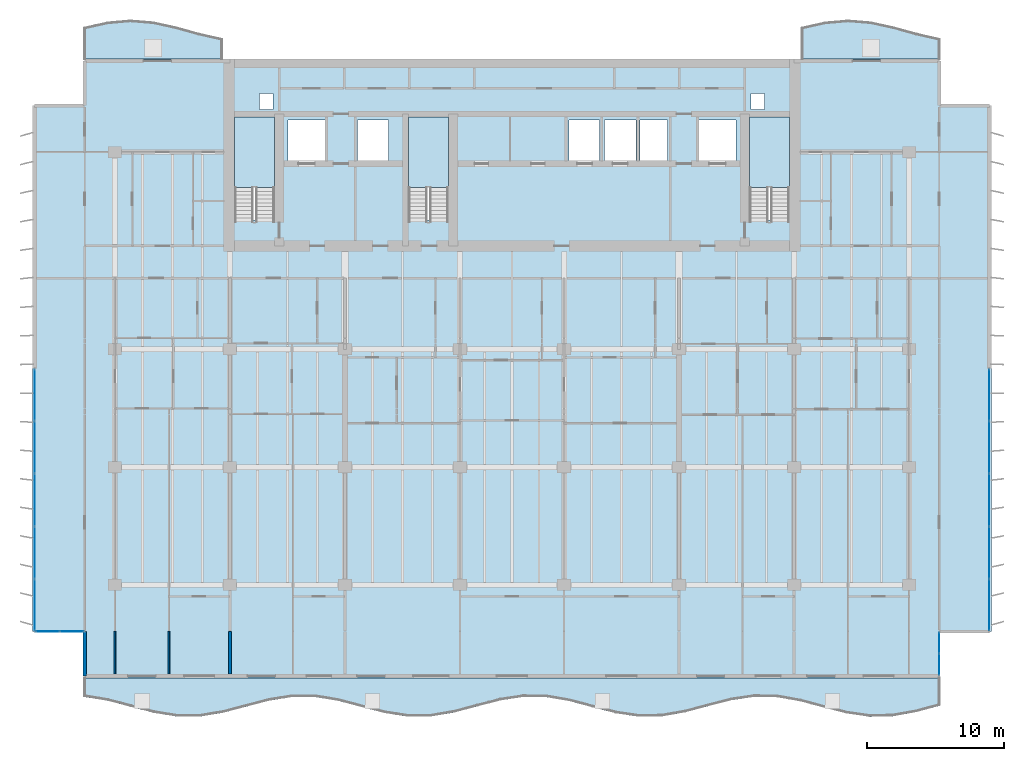
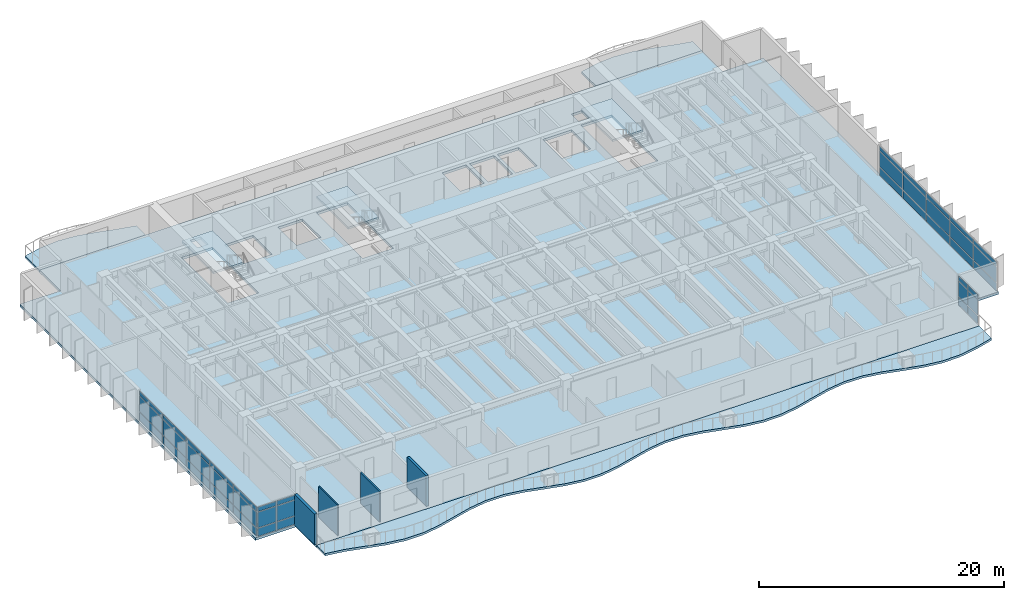
# One storey, part 5 of 17: 42 plates, 7 slabs, 4 walls, 7 elements without a shape of their own.
"""IFC4 building model written with IfcOpenShell, lengths in metres."""

from ifc_helpers import new_model, si_unit, direction, frame, frame_2d, origin, origin_2d, place, context, subcontext, project, spatial, polyline, rectangle, outline, extrude, material, layer, layer_set, type_object, element, aggregate, save


model = new_model("IFC4")

# Units and contexts
model_context = context("Model", 3, precision=1e-05, world=origin(), true_north=direction((0.0, 1.0)))
body_context = subcontext(model_context, "Body", "Model", "MODEL_VIEW")
ifc_project = project(units=[si_unit("LENGTHUNIT", "METRE"), si_unit("AREAUNIT", "SQUARE_METRE"), si_unit("VOLUMEUNIT", "CUBIC_METRE"), si_unit("PLANEANGLEUNIT", "RADIAN"), si_unit("MASSUNIT", "GRAM", prefix="KILO")], contexts=[model_context])

# Site, building, storey
site_placement = place(None, origin())
site = spatial("IfcSite", under=ifc_project, at=site_placement, CompositionType="ELEMENT")
building_placement = place(site_placement, origin())
building = spatial("IfcBuilding", under=site, at=building_placement, Name="Caelmar Bay Residences", CompositionType="ELEMENT")
storey_placement = place(building_placement, frame((0.0, 0.0, 109.199951171875)))
storey = spatial("IfcBuildingStorey", under=building, at=storey_placement, Name="L29", CompositionType="ELEMENT", Elevation=109.199951171875)

# Curtain wall, plates
ifc_material_1 = material(Name="Anodised bronze aluminium 6063-T6 and laminated glass", Category="aluminium")
ifc_layer_1 = layer(ifc_material_1, 0.179931640625)
ifc_layer_set_1 = layer_set([ifc_layer_1], Name="Anodised bronze aluminium 6063-T6 and laminated glass")
curtain_wall_type_1 = type_object("IfcCurtainWallType", Name="CW6-NTC", PredefinedType="NOTDEFINED", material=ifc_layer_set_1)
curtain_wall_1_placement = place(storey_placement, origin())
curtain_wall_1 = element("IfcCurtainWall", 1, at=curtain_wall_1_placement, inside=storey, type_object=curtain_wall_type_1, Name="CW6 curtain wall L29", PredefinedType="NOTDEFINED")
ifc_material_2 = material(Name="Bronze-tinted laminated low-E hurricane glass 28 mm", Category="glass")
ifc_layer_2 = layer(ifc_material_2, 0.028076171875)
ifc_layer_set_2 = layer_set([ifc_layer_2], Name="Bronze-tinted laminated low-E hurricane glass 28 mm")
plate_type = type_object("IfcPlateType", Name="CWP-GLZ28", PredefinedType="CURTAIN_PANEL", material=ifc_layer_set_2)
plate_1_placement = place(storey_placement, frame((4.982421875, 8.800048828125, 0.080078125), z_axis=(0.0, 0.0, 1.0), x_axis=(1.0, 0.0, 0.0)))
plate_1 = element("IfcPlate", 2, at=plate_1_placement, type_object=plate_type, Name="CW6 panel 1.1", PredefinedType="CURTAIN_PANEL", context=body_context, shape_type="SweptSolid", body=[
    extrude(rectangle(XDim=1.705078125, YDim=0.028076171875, at=origin_2d()), origin(), (0.0, 0.0, 1.0), 0.780029296875),
])
plate_2_placement = place(storey_placement, frame((4.982421875, 8.800048828125, 0.93994140625), z_axis=(0.0, 0.0, 1.0), x_axis=(1.0, 0.0, 0.0)))
plate_2 = element("IfcPlate", 3, at=plate_2_placement, type_object=plate_type, Name="CW6 panel 1.2", PredefinedType="CURTAIN_PANEL", context=body_context, shape_type="SweptSolid", body=[
    extrude(rectangle(XDim=1.705078125, YDim=0.028076171875, at=origin_2d()), origin(), (0.0, 0.0, 1.0), 1.52001953125),
])
plate_3_placement = place(storey_placement, frame((4.982421875, 8.800048828125, 2.5400390625), z_axis=(0.0, 0.0, 1.0), x_axis=(1.0, 0.0, 0.0)))
plate_3 = element("IfcPlate", 4, at=plate_3_placement, type_object=plate_type, Name="CW6 panel 1.3", PredefinedType="CURTAIN_PANEL", context=body_context, shape_type="SweptSolid", body=[
    extrude(rectangle(XDim=1.705078125, YDim=0.028076171875, at=origin_2d()), origin(), (0.0, 0.0, 1.0), 0.429931640625),
])
plate_4_placement = place(storey_placement, frame((6.767578125, 8.800048828125, 0.080078125), z_axis=(0.0, 0.0, 1.0), x_axis=(1.0, 0.0, 0.0)))
plate_4 = element("IfcPlate", 5, at=plate_4_placement, type_object=plate_type, Name="CW6 panel 2.1", PredefinedType="CURTAIN_PANEL", context=body_context, shape_type="SweptSolid", body=[
    extrude(rectangle(XDim=1.705078125, YDim=0.028076171875, at=origin_2d()), origin(), (0.0, 0.0, 1.0), 0.780029296875),
])
plate_5_placement = place(storey_placement, frame((6.767578125, 8.800048828125, 0.93994140625), z_axis=(0.0, 0.0, 1.0), x_axis=(1.0, 0.0, 0.0)))
plate_5 = element("IfcPlate", 6, at=plate_5_placement, type_object=plate_type, Name="CW6 panel 2.2", PredefinedType="CURTAIN_PANEL", context=body_context, shape_type="SweptSolid", body=[
    extrude(rectangle(XDim=1.705078125, YDim=0.028076171875, at=origin_2d()), origin(), (0.0, 0.0, 1.0), 1.52001953125),
])
plate_6_placement = place(storey_placement, frame((6.767578125, 8.800048828125, 2.5400390625), z_axis=(0.0, 0.0, 1.0), x_axis=(1.0, 0.0, 0.0)))
plate_6 = element("IfcPlate", 7, at=plate_6_placement, type_object=plate_type, Name="CW6 panel 2.3", PredefinedType="CURTAIN_PANEL", context=body_context, shape_type="SweptSolid", body=[
    extrude(rectangle(XDim=1.705078125, YDim=0.028076171875, at=origin_2d()), origin(), (0.0, 0.0, 1.0), 0.429931640625),
])
aggregate(curtain_wall_1, [plate_1, plate_2, plate_3, plate_4, plate_5, plate_6])

curtain_wall_2_placement = place(storey_placement, origin())
curtain_wall_2 = element("IfcCurtainWall", 8, at=curtain_wall_2_placement, inside=storey, type_object=curtain_wall_type_1, Name="CW6 curtain wall L29", PredefinedType="NOTDEFINED")
plate_7_placement = place(storey_placement, frame((70.10009765625, 6.382568359375, 0.080078125), z_axis=(0.0, 0.0, 1.0), x_axis=(0.0, 1.0, 0.0)))
plate_7 = element("IfcPlate", 9, at=plate_7_placement, type_object=plate_type, Name="CW6 panel 1.1", PredefinedType="CURTAIN_PANEL", context=body_context, shape_type="SweptSolid", body=[
    extrude(rectangle(XDim=1.5048828125, YDim=0.028076171875, at=origin_2d()), origin(), (0.0, 0.0, 1.0), 0.780029296875),
])
plate_8_placement = place(storey_placement, frame((70.10009765625, 6.382568359375, 0.93994140625), z_axis=(0.0, 0.0, 1.0), x_axis=(0.0, 1.0, 0.0)))
plate_8 = element("IfcPlate", 10, at=plate_8_placement, type_object=plate_type, Name="CW6 panel 1.2", PredefinedType="CURTAIN_PANEL", context=body_context, shape_type="SweptSolid", body=[
    extrude(rectangle(XDim=1.5048828125, YDim=0.028076171875, at=origin_2d()), origin(), (0.0, 0.0, 1.0), 1.52001953125),
])
plate_9_placement = place(storey_placement, frame((70.10009765625, 6.382568359375, 2.5400390625), z_axis=(0.0, 0.0, 1.0), x_axis=(0.0, 1.0, 0.0)))
plate_9 = element("IfcPlate", 11, at=plate_9_placement, type_object=plate_type, Name="CW6 panel 1.3", PredefinedType="CURTAIN_PANEL", context=body_context, shape_type="SweptSolid", body=[
    extrude(rectangle(XDim=1.5048828125, YDim=0.028076171875, at=origin_2d()), origin(), (0.0, 0.0, 1.0), 0.429931640625),
])
plate_10_placement = place(storey_placement, frame((70.10009765625, 7.967529296875, 0.080078125), z_axis=(0.0, 0.0, 1.0), x_axis=(0.0, 1.0, 0.0)))
plate_10 = element("IfcPlate", 12, at=plate_10_placement, type_object=plate_type, Name="CW6 panel 2.1", PredefinedType="CURTAIN_PANEL", context=body_context, shape_type="SweptSolid", body=[
    extrude(rectangle(XDim=1.5048828125, YDim=0.028076171875, at=origin_2d()), origin(), (0.0, 0.0, 1.0), 0.780029296875),
])
plate_11_placement = place(storey_placement, frame((70.10009765625, 7.967529296875, 0.93994140625), z_axis=(0.0, 0.0, 1.0), x_axis=(0.0, 1.0, 0.0)))
plate_11 = element("IfcPlate", 13, at=plate_11_placement, type_object=plate_type, Name="CW6 panel 2.2", PredefinedType="CURTAIN_PANEL", context=body_context, shape_type="SweptSolid", body=[
    extrude(rectangle(XDim=1.5048828125, YDim=0.028076171875, at=origin_2d()), origin(), (0.0, 0.0, 1.0), 1.52001953125),
])
plate_12_placement = place(storey_placement, frame((70.10009765625, 7.967529296875, 2.5400390625), z_axis=(0.0, 0.0, 1.0), x_axis=(0.0, 1.0, 0.0)))
plate_12 = element("IfcPlate", 14, at=plate_12_placement, type_object=plate_type, Name="CW6 panel 2.3", PredefinedType="CURTAIN_PANEL", context=body_context, shape_type="SweptSolid", body=[
    extrude(rectangle(XDim=1.5048828125, YDim=0.028076171875, at=origin_2d()), origin(), (0.0, 0.0, 1.0), 0.429931640625),
])
aggregate(curtain_wall_2, [plate_7, plate_8, plate_9, plate_10, plate_11, plate_12])

ifc_layer_3 = layer(ifc_material_1, 0.179931640625)
ifc_layer_set_3 = layer_set([ifc_layer_3], Name="Anodised bronze aluminium 6063-T6 and laminated glass")
curtain_wall_type_2 = type_object("IfcCurtainWallType", Name="CW3-Z2", PredefinedType="NOTDEFINED", material=ifc_layer_set_3)
curtain_wall_3_placement = place(storey_placement, origin())
curtain_wall_3 = element("IfcCurtainWall", 15, at=curtain_wall_3_placement, inside=storey, type_object=curtain_wall_type_2, Name="CW3 curtain wall L29", PredefinedType="NOTDEFINED")
plate_13_placement = place(storey_placement, frame((4.050048828125, 10.739990234375, 0.080078125), z_axis=(0.0, 0.0, 1.0), x_axis=(0.0, 1.0, 0.0)))
plate_13 = element("IfcPlate", 16, at=plate_13_placement, type_object=plate_type, Name="CW3 panel 1.1", PredefinedType="CURTAIN_PANEL", context=body_context, shape_type="SweptSolid", body=[
    extrude(rectangle(XDim=3.719970703125, YDim=0.028076171875, at=origin_2d()), origin(), (0.0, 0.0, 1.0), 0.780029296875),
])
plate_14_placement = place(storey_placement, frame((4.050048828125, 10.739990234375, 0.93994140625), z_axis=(0.0, 0.0, 1.0), x_axis=(0.0, 1.0, 0.0)))
plate_14 = element("IfcPlate", 17, at=plate_14_placement, type_object=plate_type, Name="CW3 panel 1.2", PredefinedType="CURTAIN_PANEL", context=body_context, shape_type="SweptSolid", body=[
    extrude(rectangle(XDim=3.719970703125, YDim=0.028076171875, at=origin_2d()), origin(), (0.0, 0.0, 1.0), 1.52001953125),
])
plate_15_placement = place(storey_placement, frame((4.050048828125, 10.739990234375, 2.5400390625), z_axis=(0.0, 0.0, 1.0), x_axis=(0.0, 1.0, 0.0)))
plate_15 = element("IfcPlate", 18, at=plate_15_placement, type_object=plate_type, Name="CW3 panel 1.3", PredefinedType="CURTAIN_PANEL", context=body_context, shape_type="SweptSolid", body=[
    extrude(rectangle(XDim=3.719970703125, YDim=0.028076171875, at=origin_2d()), origin(), (0.0, 0.0, 1.0), 0.429931640625),
])
plate_16_placement = place(storey_placement, frame((4.050048828125, 14.56005859375, 0.080078125), z_axis=(0.0, 0.0, 1.0), x_axis=(0.0, 1.0, 0.0)))
plate_16 = element("IfcPlate", 19, at=plate_16_placement, type_object=plate_type, Name="CW3 panel 2.1", PredefinedType="CURTAIN_PANEL", context=body_context, shape_type="SweptSolid", body=[
    extrude(rectangle(XDim=3.760009765625, YDim=0.028076171875, at=origin_2d()), origin(), (0.0, 0.0, 1.0), 0.780029296875),
])
plate_17_placement = place(storey_placement, frame((4.050048828125, 14.56005859375, 0.93994140625), z_axis=(0.0, 0.0, 1.0), x_axis=(0.0, 1.0, 0.0)))
plate_17 = element("IfcPlate", 20, at=plate_17_placement, type_object=plate_type, Name="CW3 panel 2.2", PredefinedType="CURTAIN_PANEL", context=body_context, shape_type="SweptSolid", body=[
    extrude(rectangle(XDim=3.760009765625, YDim=0.028076171875, at=origin_2d()), origin(), (0.0, 0.0, 1.0), 1.52001953125),
])
plate_18_placement = place(storey_placement, frame((4.050048828125, 14.56005859375, 2.5400390625), z_axis=(0.0, 0.0, 1.0), x_axis=(0.0, 1.0, 0.0)))
plate_18 = element("IfcPlate", 21, at=plate_18_placement, type_object=plate_type, Name="CW3 panel 2.3", PredefinedType="CURTAIN_PANEL", context=body_context, shape_type="SweptSolid", body=[
    extrude(rectangle(XDim=3.760009765625, YDim=0.028076171875, at=origin_2d()), origin(), (0.0, 0.0, 1.0), 0.429931640625),
])
plate_19_placement = place(storey_placement, frame((4.050048828125, 18.39990234375, 0.080078125), z_axis=(0.0, 0.0, 1.0), x_axis=(0.0, 1.0, 0.0)))
plate_19 = element("IfcPlate", 22, at=plate_19_placement, type_object=plate_type, Name="CW3 panel 3.1", PredefinedType="CURTAIN_PANEL", context=body_context, shape_type="SweptSolid", body=[
    extrude(rectangle(XDim=3.760009765625, YDim=0.028076171875, at=origin_2d()), origin(), (0.0, 0.0, 1.0), 0.780029296875),
])
plate_20_placement = place(storey_placement, frame((4.050048828125, 18.39990234375, 0.93994140625), z_axis=(0.0, 0.0, 1.0), x_axis=(0.0, 1.0, 0.0)))
plate_20 = element("IfcPlate", 23, at=plate_20_placement, type_object=plate_type, Name="CW3 panel 3.2", PredefinedType="CURTAIN_PANEL", context=body_context, shape_type="SweptSolid", body=[
    extrude(rectangle(XDim=3.760009765625, YDim=0.028076171875, at=origin_2d()), origin(), (0.0, 0.0, 1.0), 1.52001953125),
])
plate_21_placement = place(storey_placement, frame((4.050048828125, 18.39990234375, 2.5400390625), z_axis=(0.0, 0.0, 1.0), x_axis=(0.0, 1.0, 0.0)))
plate_21 = element("IfcPlate", 24, at=plate_21_placement, type_object=plate_type, Name="CW3 panel 3.3", PredefinedType="CURTAIN_PANEL", context=body_context, shape_type="SweptSolid", body=[
    extrude(rectangle(XDim=3.760009765625, YDim=0.028076171875, at=origin_2d()), origin(), (0.0, 0.0, 1.0), 0.429931640625),
])
plate_22_placement = place(storey_placement, frame((4.050048828125, 22.239990234375, 0.080078125), z_axis=(0.0, 0.0, 1.0), x_axis=(0.0, 1.0, 0.0)))
plate_22 = element("IfcPlate", 25, at=plate_22_placement, type_object=plate_type, Name="CW3 panel 4.1", PredefinedType="CURTAIN_PANEL", context=body_context, shape_type="SweptSolid", body=[
    extrude(rectangle(XDim=3.760009765625, YDim=0.028076171875, at=origin_2d()), origin(), (0.0, 0.0, 1.0), 0.780029296875),
])
plate_23_placement = place(storey_placement, frame((4.050048828125, 22.239990234375, 0.93994140625), z_axis=(0.0, 0.0, 1.0), x_axis=(0.0, 1.0, 0.0)))
plate_23 = element("IfcPlate", 26, at=plate_23_placement, type_object=plate_type, Name="CW3 panel 4.2", PredefinedType="CURTAIN_PANEL", context=body_context, shape_type="SweptSolid", body=[
    extrude(rectangle(XDim=3.760009765625, YDim=0.028076171875, at=origin_2d()), origin(), (0.0, 0.0, 1.0), 1.52001953125),
])
plate_24_placement = place(storey_placement, frame((4.050048828125, 22.239990234375, 2.5400390625), z_axis=(0.0, 0.0, 1.0), x_axis=(0.0, 1.0, 0.0)))
plate_24 = element("IfcPlate", 27, at=plate_24_placement, type_object=plate_type, Name="CW3 panel 4.3", PredefinedType="CURTAIN_PANEL", context=body_context, shape_type="SweptSolid", body=[
    extrude(rectangle(XDim=3.760009765625, YDim=0.028076171875, at=origin_2d()), origin(), (0.0, 0.0, 1.0), 0.429931640625),
])
plate_25_placement = place(storey_placement, frame((4.050048828125, 26.06005859375, 0.080078125), z_axis=(0.0, 0.0, 1.0), x_axis=(0.0, 1.0, 0.0)))
plate_25 = element("IfcPlate", 28, at=plate_25_placement, type_object=plate_type, Name="CW3 panel 5.1", PredefinedType="CURTAIN_PANEL", context=body_context, shape_type="SweptSolid", body=[
    extrude(rectangle(XDim=3.719970703125, YDim=0.028076171875, at=origin_2d()), origin(), (0.0, 0.0, 1.0), 0.780029296875),
])
plate_26_placement = place(storey_placement, frame((4.050048828125, 26.06005859375, 0.93994140625), z_axis=(0.0, 0.0, 1.0), x_axis=(0.0, 1.0, 0.0)))
plate_26 = element("IfcPlate", 29, at=plate_26_placement, type_object=plate_type, Name="CW3 panel 5.2", PredefinedType="CURTAIN_PANEL", context=body_context, shape_type="SweptSolid", body=[
    extrude(rectangle(XDim=3.719970703125, YDim=0.028076171875, at=origin_2d()), origin(), (0.0, 0.0, 1.0), 1.52001953125),
])
plate_27_placement = place(storey_placement, frame((4.050048828125, 26.06005859375, 2.5400390625), z_axis=(0.0, 0.0, 1.0), x_axis=(0.0, 1.0, 0.0)))
plate_27 = element("IfcPlate", 30, at=plate_27_placement, type_object=plate_type, Name="CW3 panel 5.3", PredefinedType="CURTAIN_PANEL", context=body_context, shape_type="SweptSolid", body=[
    extrude(rectangle(XDim=3.719970703125, YDim=0.028076171875, at=origin_2d()), origin(), (0.0, 0.0, 1.0), 0.429931640625),
])
aggregate(curtain_wall_3, [plate_13, plate_14, plate_15, plate_16, plate_17, plate_18, plate_19, plate_20, plate_21, plate_22, plate_23, plate_24, plate_25, plate_26, plate_27])

curtain_wall_4_placement = place(storey_placement, origin())
curtain_wall_4 = element("IfcCurtainWall", 31, at=curtain_wall_4_placement, inside=storey, type_object=curtain_wall_type_2, Name="CW3 curtain wall L29", PredefinedType="NOTDEFINED")
plate_28_placement = place(storey_placement, frame((73.75, 26.06005859375, 0.080078125), z_axis=(0.0, 0.0, 1.0), x_axis=(0.0, -1.0, 0.0)))
plate_28 = element("IfcPlate", 32, at=plate_28_placement, type_object=plate_type, Name="CW3 panel 1.1", PredefinedType="CURTAIN_PANEL", context=body_context, shape_type="SweptSolid", body=[
    extrude(rectangle(XDim=3.719970703125, YDim=0.028076171875, at=origin_2d()), origin(), (0.0, 0.0, 1.0), 0.780029296875),
])
plate_29_placement = place(storey_placement, frame((73.75, 26.06005859375, 0.93994140625), z_axis=(0.0, 0.0, 1.0), x_axis=(0.0, -1.0, 0.0)))
plate_29 = element("IfcPlate", 33, at=plate_29_placement, type_object=plate_type, Name="CW3 panel 1.2", PredefinedType="CURTAIN_PANEL", context=body_context, shape_type="SweptSolid", body=[
    extrude(rectangle(XDim=3.719970703125, YDim=0.028076171875, at=origin_2d()), origin(), (0.0, 0.0, 1.0), 1.52001953125),
])
plate_30_placement = place(storey_placement, frame((73.75, 26.06005859375, 2.5400390625), z_axis=(0.0, 0.0, 1.0), x_axis=(0.0, -1.0, 0.0)))
plate_30 = element("IfcPlate", 34, at=plate_30_placement, type_object=plate_type, Name="CW3 panel 1.3", PredefinedType="CURTAIN_PANEL", context=body_context, shape_type="SweptSolid", body=[
    extrude(rectangle(XDim=3.719970703125, YDim=0.028076171875, at=origin_2d()), origin(), (0.0, 0.0, 1.0), 0.429931640625),
])
plate_31_placement = place(storey_placement, frame((73.75, 22.239990234375, 0.080078125), z_axis=(0.0, 0.0, 1.0), x_axis=(0.0, -1.0, 0.0)))
plate_31 = element("IfcPlate", 35, at=plate_31_placement, type_object=plate_type, Name="CW3 panel 2.1", PredefinedType="CURTAIN_PANEL", context=body_context, shape_type="SweptSolid", body=[
    extrude(rectangle(XDim=3.760009765625, YDim=0.028076171875, at=origin_2d()), origin(), (0.0, 0.0, 1.0), 0.780029296875),
])
plate_32_placement = place(storey_placement, frame((73.75, 22.239990234375, 0.93994140625), z_axis=(0.0, 0.0, 1.0), x_axis=(0.0, -1.0, 0.0)))
plate_32 = element("IfcPlate", 36, at=plate_32_placement, type_object=plate_type, Name="CW3 panel 2.2", PredefinedType="CURTAIN_PANEL", context=body_context, shape_type="SweptSolid", body=[
    extrude(rectangle(XDim=3.760009765625, YDim=0.028076171875, at=origin_2d()), origin(), (0.0, 0.0, 1.0), 1.52001953125),
])
plate_33_placement = place(storey_placement, frame((73.75, 22.239990234375, 2.5400390625), z_axis=(0.0, 0.0, 1.0), x_axis=(0.0, -1.0, 0.0)))
plate_33 = element("IfcPlate", 37, at=plate_33_placement, type_object=plate_type, Name="CW3 panel 2.3", PredefinedType="CURTAIN_PANEL", context=body_context, shape_type="SweptSolid", body=[
    extrude(rectangle(XDim=3.760009765625, YDim=0.028076171875, at=origin_2d()), origin(), (0.0, 0.0, 1.0), 0.429931640625),
])
plate_34_placement = place(storey_placement, frame((73.75, 18.39990234375, 0.080078125), z_axis=(0.0, 0.0, 1.0), x_axis=(0.0, -1.0, 0.0)))
plate_34 = element("IfcPlate", 38, at=plate_34_placement, type_object=plate_type, Name="CW3 panel 3.1", PredefinedType="CURTAIN_PANEL", context=body_context, shape_type="SweptSolid", body=[
    extrude(rectangle(XDim=3.760009765625, YDim=0.028076171875, at=origin_2d()), origin(), (0.0, 0.0, 1.0), 0.780029296875),
])
plate_35_placement = place(storey_placement, frame((73.75, 18.39990234375, 0.93994140625), z_axis=(0.0, 0.0, 1.0), x_axis=(0.0, -1.0, 0.0)))
plate_35 = element("IfcPlate", 39, at=plate_35_placement, type_object=plate_type, Name="CW3 panel 3.2", PredefinedType="CURTAIN_PANEL", context=body_context, shape_type="SweptSolid", body=[
    extrude(rectangle(XDim=3.760009765625, YDim=0.028076171875, at=origin_2d()), origin(), (0.0, 0.0, 1.0), 1.52001953125),
])
plate_36_placement = place(storey_placement, frame((73.75, 18.39990234375, 2.5400390625), z_axis=(0.0, 0.0, 1.0), x_axis=(0.0, -1.0, 0.0)))
plate_36 = element("IfcPlate", 40, at=plate_36_placement, type_object=plate_type, Name="CW3 panel 3.3", PredefinedType="CURTAIN_PANEL", context=body_context, shape_type="SweptSolid", body=[
    extrude(rectangle(XDim=3.760009765625, YDim=0.028076171875, at=origin_2d()), origin(), (0.0, 0.0, 1.0), 0.429931640625),
])
plate_37_placement = place(storey_placement, frame((73.75, 14.56005859375, 0.080078125), z_axis=(0.0, 0.0, 1.0), x_axis=(0.0, -1.0, 0.0)))
plate_37 = element("IfcPlate", 41, at=plate_37_placement, type_object=plate_type, Name="CW3 panel 4.1", PredefinedType="CURTAIN_PANEL", context=body_context, shape_type="SweptSolid", body=[
    extrude(rectangle(XDim=3.760009765625, YDim=0.028076171875, at=origin_2d()), origin(), (0.0, 0.0, 1.0), 0.780029296875),
])
plate_38_placement = place(storey_placement, frame((73.75, 14.56005859375, 0.93994140625), z_axis=(0.0, 0.0, 1.0), x_axis=(0.0, -1.0, 0.0)))
plate_38 = element("IfcPlate", 42, at=plate_38_placement, type_object=plate_type, Name="CW3 panel 4.2", PredefinedType="CURTAIN_PANEL", context=body_context, shape_type="SweptSolid", body=[
    extrude(rectangle(XDim=3.760009765625, YDim=0.028076171875, at=origin_2d()), origin(), (0.0, 0.0, 1.0), 1.52001953125),
])
plate_39_placement = place(storey_placement, frame((73.75, 14.56005859375, 2.5400390625), z_axis=(0.0, 0.0, 1.0), x_axis=(0.0, -1.0, 0.0)))
plate_39 = element("IfcPlate", 43, at=plate_39_placement, type_object=plate_type, Name="CW3 panel 4.3", PredefinedType="CURTAIN_PANEL", context=body_context, shape_type="SweptSolid", body=[
    extrude(rectangle(XDim=3.760009765625, YDim=0.028076171875, at=origin_2d()), origin(), (0.0, 0.0, 1.0), 0.429931640625),
])
plate_40_placement = place(storey_placement, frame((73.75, 10.739990234375, 0.080078125), z_axis=(0.0, 0.0, 1.0), x_axis=(0.0, -1.0, 0.0)))
plate_40 = element("IfcPlate", 44, at=plate_40_placement, type_object=plate_type, Name="CW3 panel 5.1", PredefinedType="CURTAIN_PANEL", context=body_context, shape_type="SweptSolid", body=[
    extrude(rectangle(XDim=3.719970703125, YDim=0.028076171875, at=origin_2d()), origin(), (0.0, 0.0, 1.0), 0.780029296875),
])
plate_41_placement = place(storey_placement, frame((73.75, 10.739990234375, 0.93994140625), z_axis=(0.0, 0.0, 1.0), x_axis=(0.0, -1.0, 0.0)))
plate_41 = element("IfcPlate", 45, at=plate_41_placement, type_object=plate_type, Name="CW3 panel 5.2", PredefinedType="CURTAIN_PANEL", context=body_context, shape_type="SweptSolid", body=[
    extrude(rectangle(XDim=3.719970703125, YDim=0.028076171875, at=origin_2d()), origin(), (0.0, 0.0, 1.0), 1.52001953125),
])
plate_42_placement = place(storey_placement, frame((73.75, 10.739990234375, 2.5400390625), z_axis=(0.0, 0.0, 1.0), x_axis=(0.0, -1.0, 0.0)))
plate_42 = element("IfcPlate", 46, at=plate_42_placement, type_object=plate_type, Name="CW3 panel 5.3", PredefinedType="CURTAIN_PANEL", context=body_context, shape_type="SweptSolid", body=[
    extrude(rectangle(XDim=3.719970703125, YDim=0.028076171875, at=origin_2d()), origin(), (0.0, 0.0, 1.0), 0.429931640625),
])
aggregate(curtain_wall_4, [plate_28, plate_29, plate_30, plate_31, plate_32, plate_33, plate_34, plate_35, plate_36, plate_37, plate_38, plate_39, plate_40, plate_41, plate_42])

# Slabs
ifc_material_3 = material(Name="Concrete f'c 40 MPa (6,000 psi)", Category="concrete")
ifc_layer_4 = layer(ifc_material_3, 0.219970703125)
ifc_layer_set_4 = layer_set([ifc_layer_4], Name="Concrete f'c 40 MPa (6,000 psi)")
slab_type_1 = type_object("IfcSlabType", Name="SLB-BAL-220", PredefinedType="FLOOR", material=ifc_layer_set_4)
slab_1_placement = place(storey_placement, frame((0.0, 0.0, -0.219970703125)))
element("IfcSlab", 47, at=slab_1_placement, inside=storey, type_object=slab_type_1, Name="L29 Sinusoidal Tree-Balcony Slab south", PredefinedType="FLOOR", context=body_context, shape_type="SweptSolid", body=[
    extrude(outline(polyline([(7.699951171875, 4.01318359375), (9.386474609375, 3.739501953125), (11.072998046875, 3.29638671875), (12.759521484375, 2.854736328125), (14.44580078125, 2.58447265625), (16.13232421875, 2.589599609375), (17.81884765625, 2.867919921875), (19.50537109375, 3.312744140625), (21.19189453125, 3.75244140625), (22.87841796875, 4.018310546875), (24.56494140625, 4.007568359375), (26.25146484375, 3.724609375), (27.937744140625, 3.2783203125), (29.624267578125, 2.84033203125), (31.310791015625, 2.5791015625), (32.997314453125, 2.595703125), (34.683837890625, 2.883056640625), (36.370361328125, 3.330810546875), (38.056884765625, 3.766845703125), (39.7431640625, 4.023193359375), (41.4296875, 4.001220703125), (43.1162109375, 3.70947265625), (44.802734375, 3.260009765625), (46.4892578125, 2.825927734375), (48.17578125, 2.574462890625), (49.8623046875, 2.60205078125), (51.548583984375, 2.898193359375), (53.235107421875, 3.34912109375), (54.921630859375, 3.781005859375), (56.608154296875, 4.02783203125), (58.294677734375, 3.99462890625), (59.981201171875, 3.694091796875), (61.66748046875, 3.24169921875), (63.35400390625, 2.81201171875), (65.04052734375, 2.570068359375), (66.72705078125, 2.60888671875), (68.41357421875, 2.913818359375), (70.10009765625, 3.3671875), (70.10009765625, 5.39990234375), (7.699951171875, 5.39990234375), (7.699951171875, 4.01318359375)])), origin(), (0.0, 0.0, 1.0), 0.219970703125),
])
slab_2_placement = place(storey_placement, frame((0.0, 0.0, -0.219970703125)))
element("IfcSlab", 48, at=slab_2_placement, inside=storey, type_object=slab_type_1, Name="L29 Sinusoidal Tree-Balcony Slab north_west", PredefinedType="FLOOR", context=body_context, shape_type="SweptSolid", body=[
    extrude(outline(polyline([(7.699951171875, 50.60009765625), (17.699951171875, 50.60009765625), (17.699951171875, 52.106689453125), (16.033203125, 52.486083984375), (14.36669921875, 52.94580078125), (12.699951171875, 53.313232421875), (11.033203125, 53.449951171875), (9.36669921875, 53.3046875), (7.699951171875, 52.931884765625), (7.699951171875, 50.60009765625)])), origin(), (0.0, 0.0, 1.0), 0.219970703125),
])
slab_3_placement = place(storey_placement, frame((0.0, 0.0, -0.219970703125)))
element("IfcSlab", 49, at=slab_3_placement, inside=storey, type_object=slab_type_1, Name="L29 Sinusoidal Tree-Balcony Slab north_east", PredefinedType="FLOOR", context=body_context, shape_type="SweptSolid", body=[
    extrude(outline(polyline([(60.10009765625, 50.60009765625), (70.10009765625, 50.60009765625), (70.10009765625, 52.106689453125), (68.433349609375, 52.486083984375), (66.7666015625, 52.94580078125), (65.10009765625, 53.313232421875), (63.433349609375, 53.449951171875), (61.7666015625, 53.3046875), (60.10009765625, 52.931884765625), (60.10009765625, 50.60009765625)])), origin(), (0.0, 0.0, 1.0), 0.219970703125),
])

# Stair, slab
stair_type = type_object("IfcStairType", Name="ST-TYP-165", PredefinedType="HALF_TURN_STAIR", material=ifc_material_3)
stair_1_placement = place(storey_placement, origin())
stair_1 = element("IfcStair", 50, at=stair_1_placement, inside=storey, type_object=stair_type, Name="L29 West Smokeproof Exit Stair ST1", PredefinedType="HALF_TURN_STAIR")
ifc_layer_5 = layer(ifc_material_3, 0.199951171875)
ifc_layer_set_5 = layer_set([ifc_layer_5], Name="Concrete f'c 40 MPa (6,000 psi)")
slab_type_2 = type_object("IfcSlabType", Name="SLB-LND-200", PredefinedType="LANDING", material=ifc_layer_set_5)
slab_4_placement = place(storey_placement, frame((0.0, 0.0, 1.449951171875)))
slab_4 = element("IfcSlab", 51, at=slab_4_placement, type_object=slab_type_2, Name="ST1 landing 1", PredefinedType="LANDING", context=body_context, shape_type="SweptSolid", body=[
    extrude(outline(polyline([(21.550048828125, 41.219970703125), (21.550048828125, 46.35009765625), (18.64990234375, 46.35009765625), (18.64990234375, 41.219970703125), (21.550048828125, 41.219970703125)])), origin(), (0.0, 0.0, 1.0), 0.2001953125),
])
aggregate(stair_1, [slab_4])

stair_2_placement = place(storey_placement, origin())
stair_2 = element("IfcStair", 52, at=stair_2_placement, inside=storey, type_object=stair_type, Name="L29 East Smokeproof Exit Stair ST2", PredefinedType="HALF_TURN_STAIR")
slab_5_placement = place(storey_placement, frame((0.0, 0.0, 1.449951171875)))
slab_5 = element("IfcSlab", 53, at=slab_5_placement, type_object=slab_type_2, Name="ST2 landing 1", PredefinedType="LANDING", context=body_context, shape_type="SweptSolid", body=[
    extrude(outline(polyline([(59.14990234375, 41.219970703125), (59.14990234375, 46.35009765625), (56.25, 46.35009765625), (56.25, 41.219970703125), (59.14990234375, 41.219970703125)])), origin(), (0.0, 0.0, 1.0), 0.2001953125),
])
aggregate(stair_2, [slab_5])

stair_3_placement = place(storey_placement, origin())
stair_3 = element("IfcStair", 54, at=stair_3_placement, inside=storey, type_object=stair_type, Name="L29 Central Smokeproof Exit Stair ST3", PredefinedType="HALF_TURN_STAIR")
slab_6_placement = place(storey_placement, frame((0.0, 0.0, 1.449951171875)))
slab_6 = element("IfcSlab", 55, at=slab_6_placement, type_object=slab_type_2, Name="ST3 landing 1", PredefinedType="LANDING", context=body_context, shape_type="SweptSolid", body=[
    extrude(outline(polyline([(34.25, 41.219970703125), (34.25, 46.35009765625), (31.35009765625, 46.35009765625), (31.35009765625, 41.219970703125), (34.25, 41.219970703125)])), origin(), (0.0, 0.0, 1.0), 0.2001953125),
])
aggregate(stair_3, [slab_6])

# Slab
ifc_layer_6 = layer(ifc_material_3, 0.25)
ifc_layer_set_6 = layer_set([ifc_layer_6], Name="Concrete f'c 40 MPa (6,000 psi)")
slab_type_3 = type_object("IfcSlabType", Name="SLB-RES-250", PredefinedType="FLOOR", material=ifc_layer_set_6)
slab_7_placement = place(storey_placement, frame((0.0, 0.0, -0.25)))
element("IfcSlab", 56, at=slab_7_placement, inside=storey, type_object=slab_type_3, Name="L29 Structural Floor Slab", PredefinedType="FLOOR", context=body_context, shape_type="SweptSolid", body=[
    extrude(outline(polyline([(7.699951171875, 5.39990234375), (70.10009765625, 5.39990234375), (70.10009765625, 8.800048828125), (73.89990234375, 8.800048828125), (73.89990234375, 47.199951171875), (70.10009765625, 47.199951171875), (70.10009765625, 50.60009765625), (7.699951171875, 50.60009765625), (7.699951171875, 47.199951171875), (3.89990234375, 47.199951171875), (3.89990234375, 8.800048828125), (7.699951171875, 8.800048828125), (7.699951171875, 5.39990234375)]), holes=[polyline([(18.64990234375, 38.85009765625), (21.550048828125, 38.85009765625), (21.550048828125, 46.35009765625), (18.64990234375, 46.35009765625), (18.64990234375, 38.85009765625)]), polyline([(56.25, 38.85009765625), (59.14990234375, 38.85009765625), (59.14990234375, 46.35009765625), (56.25, 46.35009765625), (56.25, 38.85009765625)]), polyline([(31.35009765625, 38.85009765625), (34.25, 38.85009765625), (34.25, 46.35009765625), (31.35009765625, 46.35009765625), (31.35009765625, 38.85009765625)]), polyline([(22.550048828125, 43.050048828125), (25.25, 43.050048828125), (25.25, 46.14990234375), (22.550048828125, 46.14990234375), (22.550048828125, 43.050048828125)]), polyline([(52.550048828125, 43.050048828125), (55.25, 43.050048828125), (55.25, 46.14990234375), (52.550048828125, 46.14990234375), (52.550048828125, 43.050048828125)]), polyline([(43.050048828125, 43.14990234375), (45.300048828125, 43.14990234375), (45.300048828125, 46.14990234375), (43.050048828125, 46.14990234375), (43.050048828125, 43.14990234375)]), polyline([(45.64990234375, 43.14990234375), (47.949951171875, 43.14990234375), (47.949951171875, 46.14990234375), (45.64990234375, 46.14990234375), (45.64990234375, 43.14990234375)]), polyline([(48.25, 43.14990234375), (50.25, 43.14990234375), (50.25, 46.14990234375), (48.25, 46.14990234375), (48.25, 43.14990234375)]), polyline([(27.60009765625, 43.14990234375), (29.89990234375, 43.14990234375), (29.89990234375, 46.14990234375), (27.60009765625, 46.14990234375), (27.60009765625, 43.14990234375)]), polyline([(20.449951171875, 46.89990234375), (21.449951171875, 46.89990234375), (21.449951171875, 48.10009765625), (20.449951171875, 48.10009765625), (20.449951171875, 46.89990234375)]), polyline([(56.35009765625, 46.89990234375), (57.35009765625, 46.89990234375), (57.35009765625, 48.10009765625), (56.35009765625, 48.10009765625), (56.35009765625, 46.89990234375)])]), origin(), (0.0, 0.0, 1.0), 0.25),
])

# Walls
ifc_material_4 = material(Name="Precast concrete f'c 40 MPa (6,000 psi)", Category="concrete")
ifc_layer_7 = layer(ifc_material_4, 0.25)
ifc_layer_set_7 = layer_set([ifc_layer_7], Name="Precast concrete f'c 40 MPa (6,000 psi)")
wall_type_1 = type_object("IfcWallType", Name="W-EXT-250", PredefinedType="ELEMENTEDWALL", material=ifc_layer_set_7)
wall_1_placement = place(storey_placement, frame((7.699951171875, 8.800048828125, 0.0), z_axis=(0.0, 0.0, 1.0), x_axis=(0.0, -1.0, 0.0)))
element("IfcWall", 57, at=wall_1_placement, inside=storey, type_object=wall_type_1, Name="L29 SW Notch Return Wall", PredefinedType="ELEMENTEDWALL", context=body_context, shape_type="SweptSolid", body=[
    extrude(rectangle(XDim=3.25, YDim=0.25, at=frame_2d((1.625, 0.0))), origin(), (0.0, 0.0, 1.0), 3.050048828125),
])
ifc_material_5 = material(Name="Acoustic metal-stud gypsum partition 120 mm")
ifc_layer_8 = layer(ifc_material_5, 0.1201171875)
ifc_layer_set_8 = layer_set([ifc_layer_8], Name="Acoustic metal-stud gypsum partition 120 mm")
wall_type_2 = type_object("IfcWallType", Name="W-PRT-120", PredefinedType="PARTITIONING", material=ifc_layer_set_8)
for number, where, z_axis, x_axis, name in (
    (58, (9.89990234375, 5.695068359375, 0.0), (0.0, 0.0, 1.0), (0.0, 1.0, 0.0), "L29 Partition Wall V009"),
    (59, (13.847900390625, 5.695068359375, 0.0), (0.0, 0.0, 1.0), (0.0, 1.0, 0.0), "L29 Partition Wall V016"),
):
    element("IfcWall", number, at=place(storey_placement, frame(where, z_axis=z_axis, x_axis=x_axis)), inside=storey, type_object=wall_type_2, Name=name, PredefinedType="PARTITIONING", context=body_context, shape_type="SweptSolid", body=[
        extrude(rectangle(XDim=3.10498046875, YDim=0.1201171875, at=frame_2d((1.552490234375, 0.0))), origin(), (0.0, 0.0, 1.0), 3.050048828125),
    ])
ifc_material_6 = material(Name="Acoustic twin-stud fire-rated inter-tenancy partition 200 mm")
ifc_layer_9 = layer(ifc_material_6, 0.199951171875)
ifc_layer_set_9 = layer_set([ifc_layer_9], Name="Acoustic twin-stud fire-rated inter-tenancy partition 200 mm")
wall_type_3 = type_object("IfcWallType", Name="W-PTY-200", PredefinedType="PARTITIONING", material=ifc_layer_set_9)
wall_2_placement = place(storey_placement, frame((18.300048828125, 5.695068359375, 0.0), z_axis=(0.0, 0.0, 1.0), x_axis=(0.0, 1.0, 0.0)))
element("IfcWall", 60, at=wall_2_placement, inside=storey, type_object=wall_type_3, Name="L29 Partition Wall V023", PredefinedType="PARTITIONING", context=body_context, shape_type="SweptSolid", body=[
    extrude(rectangle(XDim=3.10498046875, YDim=0.199951171875, at=frame_2d((1.552490234375, 0.0))), origin(), (0.0, 0.0, 1.0), 3.050048828125),
])

save(model, "model.ifc")
